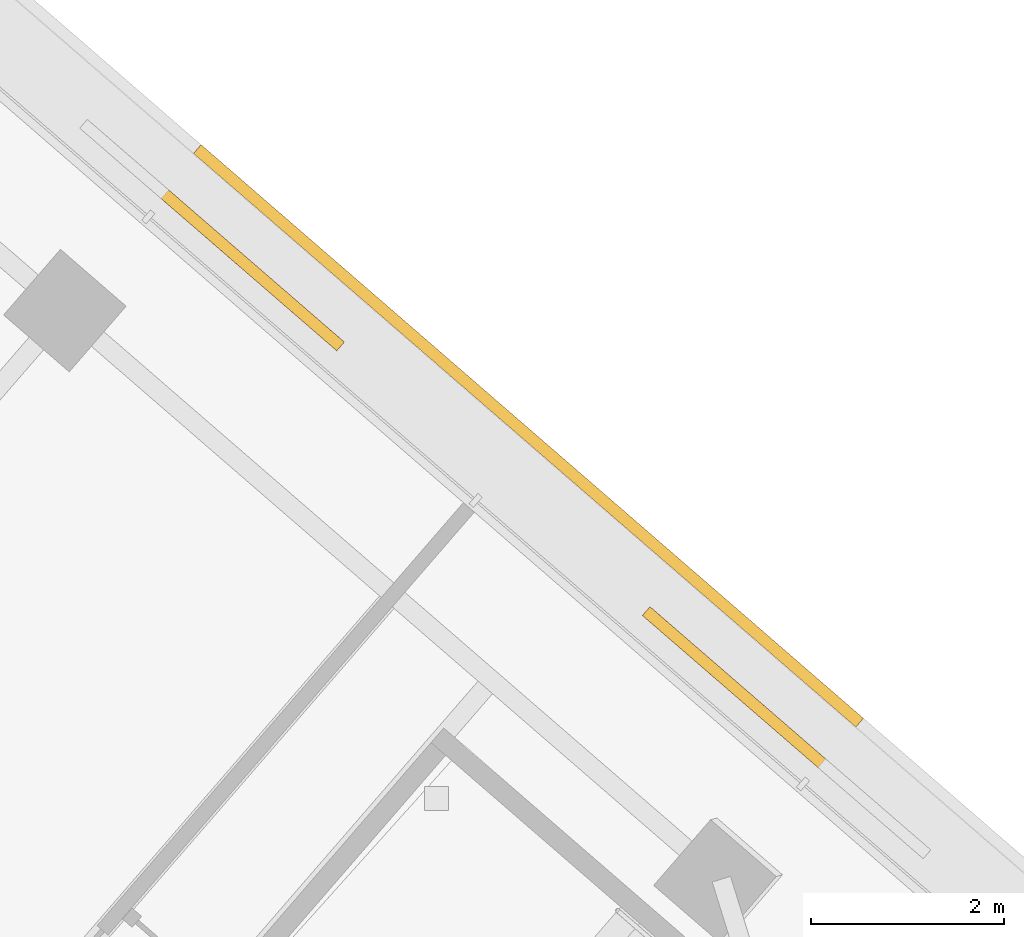
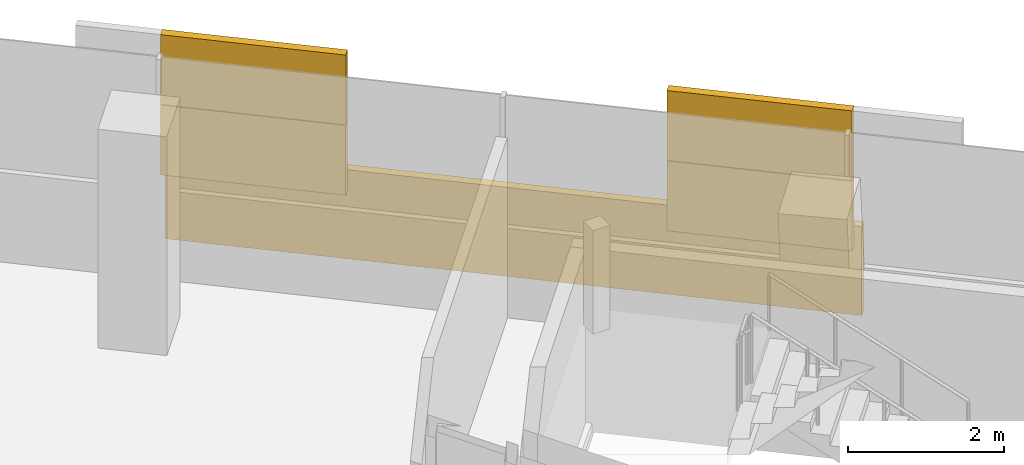
# One storey, part 31 of 32: 1 covering.
"""IFC4 building model written with IfcOpenShell, lengths in metres."""

from ifc_helpers import new_model, si_unit, direction, frame, origin, origin_2d, place, context, subcontext, project, spatial, rectangle, extrude, material, layer, layer_set, type_object, element, save


model = new_model("IFC4")

# Units and contexts
model_context = context("Model", 3, precision=1e-05, world=origin(), true_north=direction((0.0, 1.0)))
body_context = subcontext(model_context, "Body", "Model", "MODEL_VIEW")
ifc_project = project(units=[si_unit("LENGTHUNIT", "METRE"), si_unit("AREAUNIT", "SQUARE_METRE"), si_unit("VOLUMEUNIT", "CUBIC_METRE"), si_unit("PLANEANGLEUNIT", "RADIAN"), si_unit("MASSUNIT", "GRAM", prefix="KILO")], contexts=[model_context])

# Site, building, storey
site_placement = place(None, origin())
site = spatial("IfcSite", under=ifc_project, at=site_placement, CompositionType="ELEMENT")
building_placement = place(site_placement, origin())
building = spatial("IfcBuilding", under=site, at=building_placement, Name="Tamarind Cross Interchange Tower", CompositionType="ELEMENT")
storey_placement = place(building_placement, frame((0.0, 0.0, 211.300048828125)))
storey = spatial("IfcBuildingStorey", under=building, at=storey_placement, Name="L53", CompositionType="ELEMENT", Elevation=211.300048828125)

# Covering
ifc_material = material(Name="Terracotta", Category="masonry")
ifc_layer = layer(ifc_material, 0.1201171875)
ifc_layer_set = layer_set([ifc_layer], Name="Terracotta")
covering_type = type_object("IfcCoveringType", Name="Terracotta baguette screen unit", PredefinedType="MOLDING", material=ifc_layer_set)
covering_placement = place(storey_placement, origin())
element("IfcCovering", 1, at=covering_placement, inside=storey, type_object=covering_type, Name="SCR-L53-07-01", PredefinedType="MOLDING", context=body_context, shape_type="SweptSolid", body=[
    extrude(rectangle(XDim=1.190673828125, YDim=0.1201171875, at=origin_2d()), frame((-2.076416015625, 33.177734375, 1.40380859375), z_axis=(0.0, 0.0, 1.0), x_axis=(-0.755917458902, 0.654666934653, 0.0)), (0.0, 0.0, 1.0), 1.092041015625),
    extrude(rectangle(XDim=1.23486328125, YDim=0.1201171875, at=origin_2d()), frame((-2.985595703125, 33.965087890625, 1.40380859375), z_axis=(0.0, 0.0, 1.0), x_axis=(-0.755917458902, 0.654666934653, 0.0)), (0.0, 0.0, 1.0), 1.092041015625),
    extrude(rectangle(XDim=0.585205078125, YDim=0.1201171875, at=origin_2d()), frame((-6.8408203125, 37.303955078125, 1.40380859375), z_axis=(0.0, 0.0, 1.0), x_axis=(-0.755917458902, 0.654666934653, 0.0)), (0.0, 0.0, 1.0), 1.092041015625),
    extrude(rectangle(XDim=1.52001953125, YDim=0.1201171875, at=origin_2d()), frame((-7.625244140625, 37.983154296875, 1.40380859375), z_axis=(0.0, 0.0, 1.0), x_axis=(-0.755917458902, 0.654666934653, 0.0)), (0.0, 0.0, 1.0), 1.092041015625),
    extrude(rectangle(XDim=0.34033203125, YDim=0.1201171875, at=origin_2d()), frame((-8.31689453125, 38.582275390625, 1.40380859375), z_axis=(0.0, 0.0, 1.0), x_axis=(-0.755917458902, 0.654666934653, 0.0)), (0.0, 0.0, 1.0), 1.092041015625),
    extrude(rectangle(XDim=0.440673828125, YDim=0.1201171875, at=origin_2d()), frame((-1.79296875, 32.93212890625, 2.50390625), z_axis=(0.0, 0.0, 1.0), x_axis=(-0.755917458902, 0.654666934653, 0.0)), (0.0, 0.0, 1.0), 1.092041015625),
    extrude(rectangle(XDim=1.52001953125, YDim=0.1201171875, at=origin_2d()), frame((-2.522705078125, 33.564208984375, 2.50390625), z_axis=(0.0, 0.0, 1.0), x_axis=(-0.755917458902, 0.654666934653, 0.0)), (0.0, 0.0, 1.0), 1.092041015625),
    extrude(rectangle(XDim=0.48486328125, YDim=0.1201171875, at=origin_2d()), frame((-3.269287109375, 34.210693359375, 2.50390625), z_axis=(0.0, 0.0, 1.0), x_axis=(-0.755917458902, 0.654666934653, 0.0)), (0.0, 0.0, 1.0), 1.092041015625),
    extrude(rectangle(XDim=1.335205078125, YDim=0.1201171875, at=origin_2d()), frame((-7.124267578125, 37.54931640625, 2.50390625), z_axis=(0.0, 0.0, 1.0), x_axis=(-0.755917458902, 0.654666934653, 0.0)), (0.0, 0.0, 1.0), 1.092041015625),
    extrude(rectangle(XDim=1.09033203125, YDim=0.1201171875, at=origin_2d()), frame((-8.033447265625, 38.3369140625, 2.50390625), z_axis=(0.0, 0.0, 1.0), x_axis=(-0.755917458902, 0.654666934653, 0.0)), (0.0, 0.0, 1.0), 1.092041015625),
    extrude(rectangle(XDim=1.135986328125, YDim=0.1201171875, at=origin_2d()), frame((-1.669677734375, 33.584716796875, 0.00390625), z_axis=(0.0, 0.0, 1.0), x_axis=(-0.755917458902, 0.654666934653, 0.0)), (0.0, 0.0, 1.0), 1.39208984375),
    extrude(rectangle(XDim=1.52001953125, YDim=0.1201171875, at=origin_2d()), frame((-2.658203125, 34.44091796875, 0.00390625), z_axis=(0.0, 0.0, 1.0), x_axis=(-0.755917458902, 0.654666934653, 0.0)), (0.0, 0.0, 1.0), 1.39208984375),
    extrude(rectangle(XDim=1.52001953125, YDim=0.1201171875, at=origin_2d()), frame((-3.792236328125, 35.4228515625, 0.00390625), z_axis=(0.0, 0.0, 1.0), x_axis=(-0.755917458902, 0.654666934653, 0.0)), (0.0, 0.0, 1.0), 1.39208984375),
    extrude(rectangle(XDim=1.52001953125, YDim=0.1201171875, at=origin_2d()), frame((-4.926025390625, 36.40478515625, 0.00390625), z_axis=(0.0, 0.0, 1.0), x_axis=(-0.755917458902, 0.654666934653, 0.0)), (0.0, 0.0, 1.0), 1.39208984375),
    extrude(rectangle(XDim=1.52001953125, YDim=0.1201171875, at=origin_2d()), frame((-6.059814453125, 37.386962890625, 0.00390625), z_axis=(0.0, 0.0, 1.0), x_axis=(-0.755917458902, 0.654666934653, 0.0)), (0.0, 0.0, 1.0), 1.39208984375),
    extrude(rectangle(XDim=1.52001953125, YDim=0.1201171875, at=origin_2d()), frame((-7.19384765625, 38.368896484375, 0.00390625), z_axis=(0.0, 0.0, 1.0), x_axis=(-0.755917458902, 0.654666934653, 0.0)), (0.0, 0.0, 1.0), 1.39208984375),
    extrude(rectangle(XDim=0.46484375, YDim=0.1201171875, at=origin_2d()), frame((-7.928955078125, 39.00537109375, 0.00390625), z_axis=(0.0, 0.0, 1.0), x_axis=(-0.755917458902, 0.654666934653, 0.0)), (0.0, 0.0, 1.0), 1.39208984375),
])

save(model, "model.ifc")
